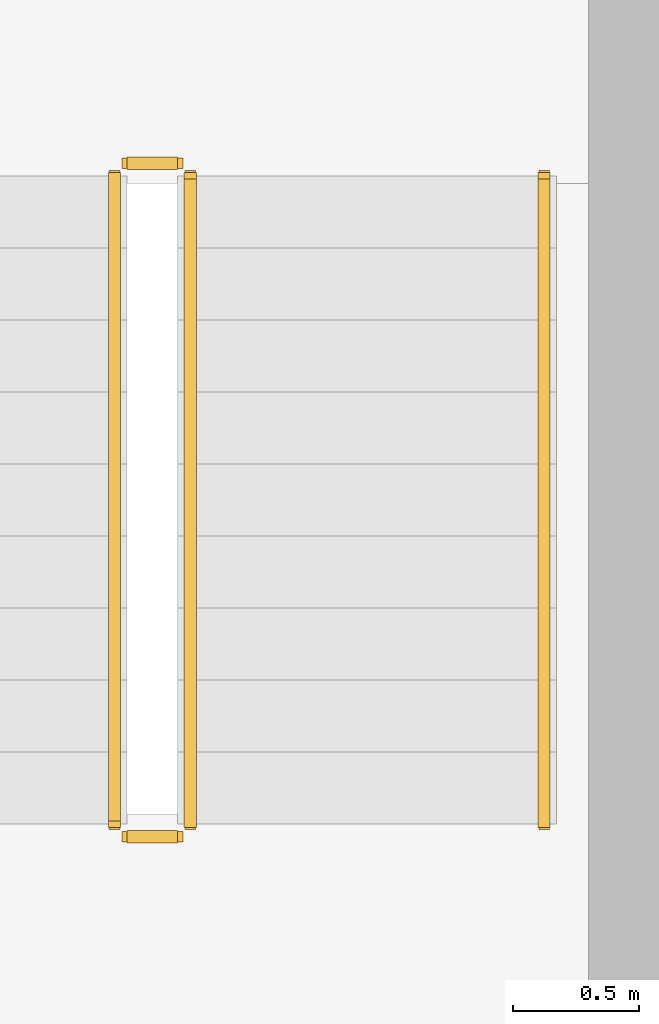
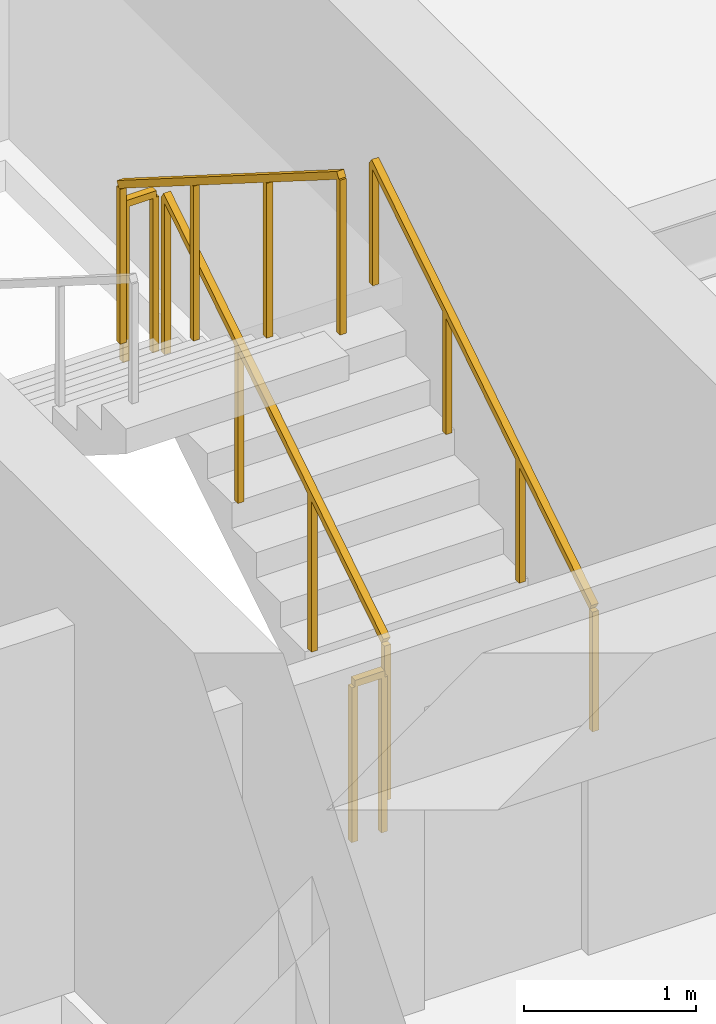
# One storey, part 28 of 28: 5 railings.
"""IFC4 building model written with IfcOpenShell, lengths in metres."""

from ifc_helpers import new_model, si_unit, direction, frame, origin, origin_2d, place, context, subcontext, project, spatial, rectangle, extrude, material, type_object, element, save


model = new_model("IFC4")

# Units and contexts
model_context = context("Model", 3, precision=1e-05, world=origin(), true_north=direction((0.0, 1.0)))
body_context = subcontext(model_context, "Body", "Model", "MODEL_VIEW")
ifc_project = project(units=[si_unit("LENGTHUNIT", "METRE"), si_unit("AREAUNIT", "SQUARE_METRE"), si_unit("VOLUMEUNIT", "CUBIC_METRE"), si_unit("PLANEANGLEUNIT", "RADIAN"), si_unit("MASSUNIT", "GRAM", prefix="KILO")], contexts=[model_context])

# Site, building, storey
site_placement = place(None, origin())
site = spatial("IfcSite", under=ifc_project, at=site_placement, CompositionType="ELEMENT")
building_placement = place(site_placement, origin())
building = spatial("IfcBuilding", under=site, at=building_placement, Name="Sarneth Arch Tower", CompositionType="ELEMENT")
storey_placement = place(building_placement, frame((0.0, 0.0, 197.39990234375)))
storey = spatial("IfcBuildingStorey", under=building, at=storey_placement, Name="L50", CompositionType="ELEMENT", Elevation=197.39990234375)

# Railings
ifc_material_1 = material(Name="Brushed Stainless Steel 304 tubular handrail", Category="steel")
railing_type_1 = type_object("IfcRailingType", Name="RAIL-HANDRAIL-900", PredefinedType="HANDRAIL", material=ifc_material_1)
railing_1_placement = place(storey_placement, frame((58.60009765625, 41.449951171875, 0.18017578125)))
element("IfcRailing", 1, at=railing_1_placement, inside=storey, type_object=railing_type_1, Name="L50 ST-2 stair handrail 1", PredefinedType="HANDRAIL", context=body_context, shape_type="SweptSolid", body=[
    extrude(rectangle(XDim=0.048095703125, YDim=0.048095703125, at=origin_2d()), frame((0.0, 0.0, 0.8759765625), z_axis=(0.0, 0.845502289212, 0.533971796014), x_axis=(-1.0, 0.0, 0.0)), (0.0, 0.0, 1.0), 3.03369140625),
    extrude(rectangle(XDim=0.0419921875, YDim=0.0419921875, at=origin_2d()), origin(), (0.0, 0.0, 1.0), 0.851806640625),
    extrude(rectangle(XDim=0.0419921875, YDim=0.0419921875, at=origin_2d()), frame((0.0, 0.85498046875, 0.5400390625)), (0.0, 0.0, 1.0), 0.851806640625),
    extrude(rectangle(XDim=0.0419921875, YDim=0.0419921875, at=origin_2d()), frame((0.0, 1.7099609375, 1.079833984375)), (0.0, 0.0, 1.0), 0.851806640625),
    extrude(rectangle(XDim=0.0419921875, YDim=0.0419921875, at=origin_2d()), frame((0.0, 2.56494140625, 1.619873046875)), (0.0, 0.0, 1.0), 0.851806640625),
])
ifc_material_2 = material(Name="Painted Steel S275 stair well guard", Category="steel")
railing_type_2 = type_object("IfcRailingType", Name="RAIL-STAIR-GUARD", PredefinedType="GUARDRAIL", material=ifc_material_2)
railing_2_placement = place(storey_placement, frame((57.199951171875, 41.449951171875, 0.18017578125)))
element("IfcRailing", 2, at=railing_2_placement, inside=storey, type_object=railing_type_2, Name="L50 ST-2 stair guard 1", PredefinedType="GUARDRAIL", context=body_context, shape_type="SweptSolid", body=[
    extrude(rectangle(XDim=0.048095703125, YDim=0.048095703125, at=origin_2d()), frame((0.0, 0.0, 1.1259765625), z_axis=(0.0, 0.845502289212, 0.533971796014), x_axis=(-1.0, 0.0, 0.0)), (0.0, 0.0, 1.0), 3.03369140625),
    extrude(rectangle(XDim=0.0419921875, YDim=0.0419921875, at=origin_2d()), origin(), (0.0, 0.0, 1.0), 1.101806640625),
    extrude(rectangle(XDim=0.0419921875, YDim=0.0419921875, at=origin_2d()), frame((0.0, 0.85498046875, 0.5400390625)), (0.0, 0.0, 1.0), 1.101806640625),
    extrude(rectangle(XDim=0.0419921875, YDim=0.0419921875, at=origin_2d()), frame((0.0, 1.7099609375, 1.079833984375)), (0.0, 0.0, 1.0), 1.101806640625),
    extrude(rectangle(XDim=0.0419921875, YDim=0.0419921875, at=origin_2d()), frame((0.0, 2.56494140625, 1.619873046875)), (0.0, 0.0, 1.0), 1.101806640625),
])
railing_3_placement = place(storey_placement, frame((57.14990234375, 44.06494140625, 1.800048828125)))
element("IfcRailing", 3, at=railing_3_placement, inside=storey, type_object=railing_type_2, Name="L50 ST-2 stair guard 2", PredefinedType="GUARDRAIL", context=body_context, shape_type="SweptSolid", body=[
    extrude(rectangle(XDim=0.048095703125, YDim=0.048095703125, at=origin_2d()), frame((0.0, 0.0, 1.1259765625), z_axis=(-1.0, 0.0, 0.0), x_axis=(0.0, -1.0, 0.0)), (0.0, 0.0, 1.0), 0.199951171875),
    extrude(rectangle(XDim=0.0419921875, YDim=0.0419921875, at=origin_2d()), origin(), (0.0, 0.0, 1.0), 1.101806640625),
    extrude(rectangle(XDim=0.0419921875, YDim=0.0419921875, at=origin_2d()), frame((-0.199951171875, 0.0, 0.0)), (0.0, 0.0, 1.0), 1.101806640625),
])
railing_4_placement = place(storey_placement, frame((56.89990234375, 44.014892578125, 1.97998046875)))
element("IfcRailing", 4, at=railing_4_placement, inside=storey, type_object=railing_type_2, Name="L50 ST-2 stair guard 3", PredefinedType="GUARDRAIL", context=body_context, shape_type="SweptSolid", body=[
    extrude(rectangle(XDim=0.048095703125, YDim=0.048095703125, at=origin_2d()), frame((0.0, 0.0, 1.1259765625), z_axis=(0.0, -0.845465955043, 0.534029323973), x_axis=(1.0, 0.0, 0.0)), (0.0, 0.0, 1.0), 3.03369140625),
    extrude(rectangle(XDim=0.0419921875, YDim=0.0419921875, at=origin_2d()), origin(), (0.0, 0.0, 1.0), 1.101806640625),
    extrude(rectangle(XDim=0.0419921875, YDim=0.0419921875, at=origin_2d()), frame((0.0, -0.85498046875, 0.5400390625)), (0.0, 0.0, 1.0), 1.101806640625),
    extrude(rectangle(XDim=0.0419921875, YDim=0.0419921875, at=origin_2d()), frame((0.0, -1.7099609375, 1.080078125)), (0.0, 0.0, 1.0), 1.101806640625),
    extrude(rectangle(XDim=0.0419921875, YDim=0.0419921875, at=origin_2d()), frame((0.0, -2.56494140625, 1.6201171875)), (0.0, 0.0, 1.0), 1.101806640625),
])
railing_5_placement = place(storey_placement, frame((57.14990234375, 41.39990234375, 0.0)))
element("IfcRailing", 5, at=railing_5_placement, inside=storey, type_object=railing_type_2, Name="L50 ST-2 stair guard 4", PredefinedType="GUARDRAIL", context=body_context, shape_type="SweptSolid", body=[
    extrude(rectangle(XDim=0.048095703125, YDim=0.048095703125, at=origin_2d()), frame((0.0, 0.0, 1.1259765625), z_axis=(-1.0, 0.0, 0.0), x_axis=(0.0, -1.0, 0.0)), (0.0, 0.0, 1.0), 0.199951171875),
    extrude(rectangle(XDim=0.0419921875, YDim=0.0419921875, at=origin_2d()), origin(), (0.0, 0.0, 1.0), 1.101806640625),
    extrude(rectangle(XDim=0.0419921875, YDim=0.0419921875, at=origin_2d()), frame((-0.199951171875, 0.0, 0.0)), (0.0, 0.0, 1.0), 1.101806640625),
])

save(model, "model.ifc")
